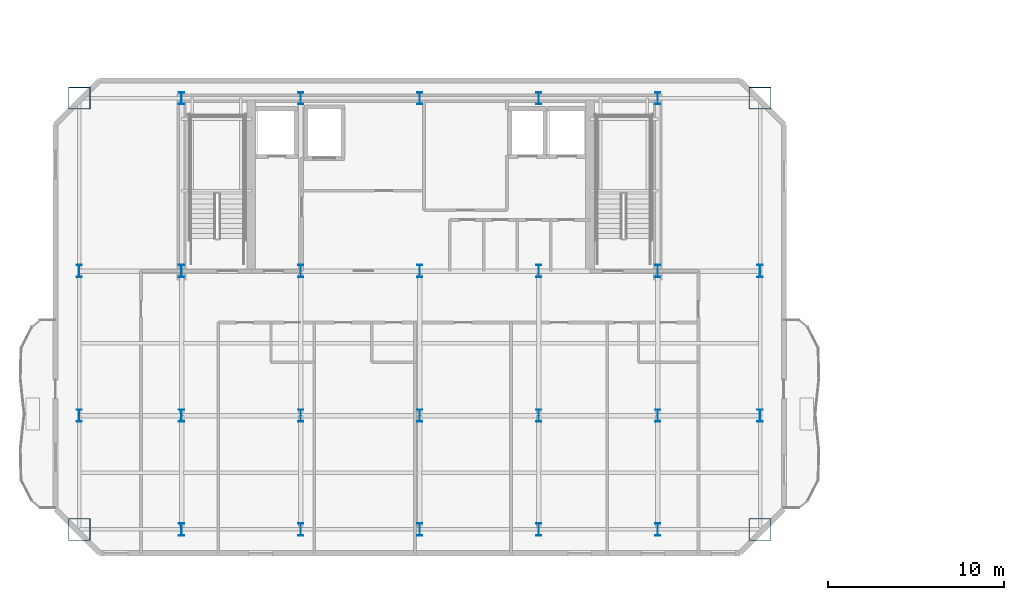
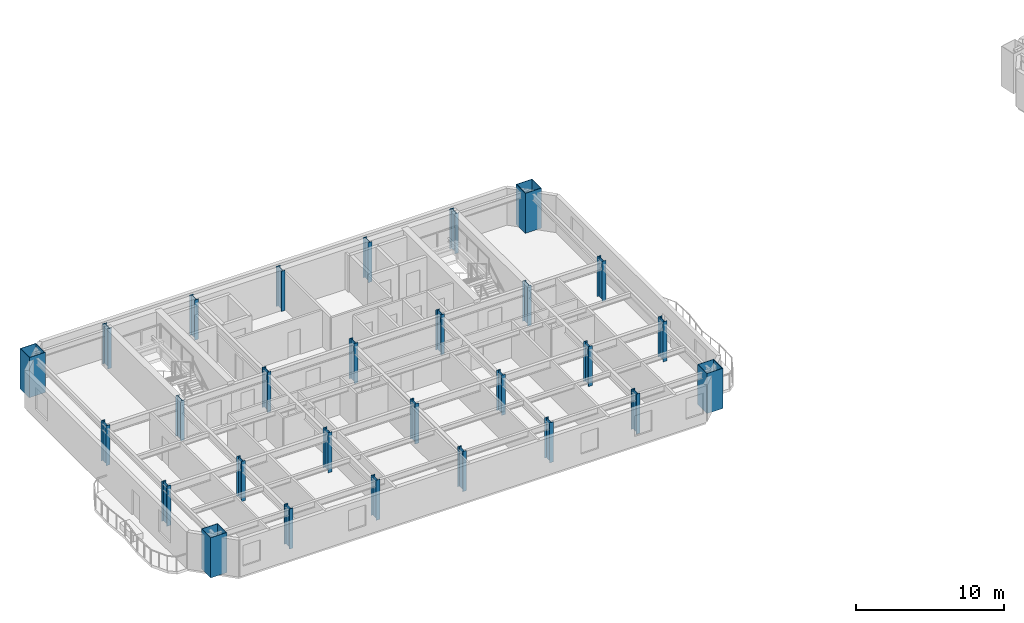
# One storey, part 1 of 13: 28 columns.
"""IFC4 building model written with IfcOpenShell, lengths in metres."""

import ifcopenshell
import ifcopenshell.guid

model = None  # the IFC model being written
_history = None  # IfcOwnerHistory: only IFC2X3 demands one
_inside = {}  # id of a spatial element -> (the spatial element, [elements in it])
_under = {}  # id of a project, library or spatial element -> (it, [spatial elements below it])
_declared = {}  # id of a project -> (the project, [libraries it declares])
_typed = {}  # id of a type object -> (the type object, [elements of that type])
_made_of = {}  # id of a material, layer set ... -> (it, [elements and type objects made of it])


def new_model(schema):
    """Start an empty IFC model of exactly this schema.

    Asked for "IFC4X3", IfcOpenShell would pick the latest addendum, in which some entities
    have other attributes; the version numbers below select the first issue.
    IFC2X3 requires an IfcOwnerHistory on every rooted entity: one is made here for all.
    """
    global model, _history
    if schema == "IFC4X3":
        model = ifcopenshell.file(schema_version=(4, 3, 0, 0))
    else:
        model = ifcopenshell.file(schema=schema)
    _inside.clear()
    _under.clear()
    _declared.clear()
    _typed.clear()
    _made_of.clear()
    _history = None
    if model.schema == "IFC2X3":
        org = make("IfcOrganization", Name="unknown")
        user = make(
            "IfcPersonAndOrganization",
            ThePerson=make("IfcPerson", FamilyName="unknown"),
            TheOrganization=org,
        )
        app = make(
            "IfcApplication",
            ApplicationDeveloper=org,
            Version="unknown",
            ApplicationFullName="unknown",
            ApplicationIdentifier="unknown",
        )
        _history = make(
            "IfcOwnerHistory",
            OwningUser=user,
            OwningApplication=app,
            ChangeAction="ADDED",
            CreationDate=0,
        )
    return model


def make(cls, **values):
    """One entity of the class cls with the attributes given. An attribute that is None is left unset."""
    return model.create_entity(
        cls, **{name: value for name, value in values.items() if value is not None}
    )


def rooted(cls, **values):
    """An entity with a GlobalId (a new one), such as an element, a storey or a relation."""
    return make(cls, GlobalId=ifcopenshell.guid.new(), OwnerHistory=_history, **values)


def si_unit(unit_type, name, prefix=None):
    """IfcSIUnit, for example si_unit("LENGTHUNIT", "METRE", prefix="MILLI")."""
    return make("IfcSIUnit", UnitType=unit_type, Prefix=prefix, Name=name)


def assignment(units):
    """IfcUnitAssignment: the units of a project."""
    return None if units is None else make("IfcUnitAssignment", Units=units)


def point(xyz):
    """IfcCartesianPoint."""
    return None if xyz is None else make("IfcCartesianPoint", Coordinates=xyz)


def direction(xyz):
    """IfcDirection."""
    return None if xyz is None else make("IfcDirection", DirectionRatios=xyz)


def frame(location, z_axis=None, x_axis=None):
    """IfcAxis2Placement3D, a coordinate frame: its origin and axes. An axis left out is left unset."""
    return make(
        "IfcAxis2Placement3D",
        Location=point(location),
        Axis=direction(z_axis),
        RefDirection=direction(x_axis),
    )


def frame_2d(location, x_axis=None):
    """IfcAxis2Placement2D, a coordinate frame in the plane: its origin and x axis."""
    return make(
        "IfcAxis2Placement2D", Location=point(location), RefDirection=direction(x_axis)
    )


def origin():
    """The frame at (0, 0, 0) with its axes left unset."""
    return frame((0.0, 0.0, 0.0))


def origin_2d():
    """The frame at (0, 0) in the plane with its x axis left unset."""
    return frame_2d((0.0, 0.0))


def place(relative_to, where):
    """IfcLocalPlacement: puts the frame where relative to a parent placement (None: the world)."""
    return make(
        "IfcLocalPlacement", PlacementRelTo=relative_to, RelativePlacement=where
    )


def context(
    kind, dimensions, precision=None, world=None, true_north=None, identifier=None
):
    """IfcGeometricRepresentationContext, for example the 3D "Model" context."""
    return make(
        "IfcGeometricRepresentationContext",
        ContextIdentifier=identifier,
        ContextType=kind,
        CoordinateSpaceDimension=dimensions,
        Precision=precision,
        WorldCoordinateSystem=world,
        TrueNorth=true_north,
    )


def subcontext(parent, identifier, kind, view, scale=None):
    """IfcGeometricRepresentationSubContext, for example "Body" below "Model"."""
    return make(
        "IfcGeometricRepresentationSubContext",
        ContextIdentifier=identifier,
        ContextType=kind,
        ParentContext=parent,
        TargetScale=scale,
        TargetView=view,
    )


def project(units=None, contexts=None):
    """IfcProject with its units and contexts."""
    return rooted(
        "IfcProject",
        Name="project",
        RepresentationContexts=contexts,
        UnitsInContext=assignment(units),
    )


def spatial(cls, under=None, at=None, **own):
    """A site, building, storey or space (cls), placed at a placement, below another one or the project."""
    s = rooted(cls, ObjectPlacement=at, **own)
    if under is not None:
        _under.setdefault(under.id(), (under, []))[1].append(s)
    return s


def profile(cls, at=None, kind="AREA", **sizes):
    """A parametric profile (cls). Its sizes go by their IFC names, for example OverallWidth=200.0."""
    return make(cls, ProfileType=kind, Position=at, **sizes)


def hollow_rectangle(**sizes):
    """IfcRectangleHollowProfileDef."""
    return profile("IfcRectangleHollowProfileDef", **sizes)


def i_section(**sizes):
    """IfcIShapeProfileDef."""
    return profile("IfcIShapeProfileDef", **sizes)


def extrude(swept, where, along, depth):
    """IfcExtrudedAreaSolid: the profile swept, set in the frame where, extruded along a direction by depth."""
    return make(
        "IfcExtrudedAreaSolid",
        SweptArea=swept,
        Position=where,
        ExtrudedDirection=direction(along),
        Depth=depth,
    )


def shape(context_of_items, identifier, shape_type, items):
    """IfcShapeRepresentation: the items that make up one representation, for example the "Body"."""
    return make(
        "IfcShapeRepresentation",
        ContextOfItems=context_of_items,
        RepresentationIdentifier=identifier,
        RepresentationType=shape_type,
        Items=items,
    )


def material(Name=None, Category=None):
    """IfcMaterial."""
    return make("IfcMaterial", Name=Name, Category=Category)


def material_profile(
    of_material, cross_section, Name=None, Category=None, Priority=None
):
    """IfcMaterialProfile: a cross section and its material."""
    return make(
        "IfcMaterialProfile",
        Name=Name,
        Material=of_material,
        Profile=cross_section,
        Priority=Priority,
        Category=Category,
    )


def profile_set(profiles, Name=None, composite=None):
    """IfcMaterialProfileSet."""
    return make(
        "IfcMaterialProfileSet",
        Name=Name,
        MaterialProfiles=profiles,
        CompositeProfile=composite,
    )


def made_of(thing, what):
    """Note that an element or type object is made of a material, layer set ...; save() writes the relation."""
    if what is not None:
        _made_of.setdefault(what.id(), (what, []))[1].append(thing)
    return thing


def type_object(cls, material=None, **own):
    """A type object (cls), such as IfcWallType, which elements share."""
    return made_of(rooted(cls, **own), material)


def element(
    cls,
    number,
    at=None,
    inside=None,
    cuts=None,
    type_object=None,
    material=None,
    context=None,
    identifier="Body",
    shape_type=None,
    held_by="IfcProductDefinitionShape",
    body=None,
    shapes=None,
    **own,
):
    """One element of the class cls, such as IfcWall. Its Tag is "e" and its number.

    at: its placement. inside: the storey or other place that contains it. cuts: it is an
    opening in that element (IfcRelVoidsElement). A single representation is given by context,
    identifier, shape_type and body (its items); several are given by shapes. held_by: the class
    of the entity that holds the representations. save() writes the other relations.
    """
    e = rooted(cls, Tag="e%d" % number, ObjectPlacement=at, **own)
    if body is not None:
        shapes = [shape(context, identifier, shape_type, body)]
    if shapes is not None:
        e.Representation = make(held_by, Representations=shapes)
    if inside is not None:
        _inside.setdefault(inside.id(), (inside, []))[1].append(e)
    if cuts is not None:
        rooted(
            "IfcRelVoidsElement", RelatingBuildingElement=cuts, RelatedOpeningElement=e
        )
    if type_object is not None:
        _typed.setdefault(type_object.id(), (type_object, []))[1].append(e)
    return made_of(e, material)


def aggregate(whole, parts):
    """IfcRelAggregates: a whole, such as a stair, and the parts it consists of."""
    return rooted("IfcRelAggregates", RelatingObject=whole, RelatedObjects=parts)


def save(model, path):
    """Write the relations noted so far, then the file.

    IfcRelAggregates (storeys below a building ...), IfcRelContainedInSpatialStructure (elements
    in a storey), IfcRelDefinesByType, IfcRelAssociatesMaterial and IfcRelDeclares: one each for
    every whole, place, type object, material and project.
    """
    for whole, parts in _under.values():
        aggregate(whole, parts)
    for where, things in _inside.values():
        rooted(
            "IfcRelContainedInSpatialStructure",
            RelatedElements=things,
            RelatingStructure=where,
        )
    for kind, things in _typed.values():
        rooted("IfcRelDefinesByType", RelatedObjects=things, RelatingType=kind)
    for what, things in _made_of.values():
        rooted("IfcRelAssociatesMaterial", RelatedObjects=things, RelatingMaterial=what)
    for by, libraries in _declared.values():
        rooted("IfcRelDeclares", RelatingContext=by, RelatedDefinitions=libraries)
    model.write(path)


model = new_model("IFC4")

# Units and contexts
model_context = context("Model", 3, precision=1e-05, world=origin(), true_north=direction((0.0, 1.0)))
body_context = subcontext(model_context, "Body", "Model", "MODEL_VIEW")
ifc_project = project(units=[si_unit("LENGTHUNIT", "METRE"), si_unit("AREAUNIT", "SQUARE_METRE"), si_unit("VOLUMEUNIT", "CUBIC_METRE"), si_unit("PLANEANGLEUNIT", "RADIAN"), si_unit("MASSUNIT", "GRAM", prefix="KILO")], contexts=[model_context])

# Site, building, storey
site_placement = place(None, origin())
site = spatial("IfcSite", under=ifc_project, at=site_placement, CompositionType="ELEMENT")
building_placement = place(site_placement, origin())
building = spatial("IfcBuilding", under=site, at=building_placement, Name="Haevon Station Towers", CompositionType="ELEMENT")
storey_placement = place(building_placement, frame((0.0, 0.0, 182.39990234375)))
storey = spatial("IfcBuildingStorey", under=building, at=storey_placement, Name="L50", CompositionType="ELEMENT", Elevation=182.39990234375)

# Columns
ifc_material_1 = material(Name="Steel S460", Category="steel")
ifc_material_profile_1 = material_profile(ifc_material_1, hollow_rectangle(XDim=1.25, YDim=1.25, WallThickness=0.034912109375, at=origin_2d()), Name="BOX-1250x1250x35")
ifc_profile_set_1 = profile_set([ifc_material_profile_1], Name="Steel S460")
column_type_1 = type_object("IfcColumnType", Name="COL-MC4", PredefinedType="COLUMN", material=ifc_profile_set_1)
for number, where, z_axis, x_axis, name in (
    (1, (18.199951171875, 23.550048828125, 0.0), (0.0, 0.0, 1.0), (1.0, 0.0, 0.0), "COL-T1-L50-01-01"),
    (2, (18.199951171875, 48.0, 0.0), (0.0, 0.0, 1.0), (1.0, 0.0, 0.0), "COL-T1-L50-01-04"),
    (3, (56.800048828125, 23.550048828125, 0.0), (0.0, 0.0, 1.0), (1.0, 0.0, 0.0), "COL-T1-L50-07-01"),
    (4, (56.800048828125, 48.0, 0.0), (0.0, 0.0, 1.0), (1.0, 0.0, 0.0), "COL-T1-L50-07-04"),
):
    element("IfcColumn", number, at=place(storey_placement, frame(where, z_axis=z_axis, x_axis=x_axis)), inside=storey, type_object=column_type_1, Name=name, PredefinedType="COLUMN", context=body_context, shape_type="SweptSolid", body=[
        extrude(hollow_rectangle(XDim=1.25, YDim=1.25, WallThickness=0.034912109375, at=origin_2d()), origin(), (0.0, 0.0, 1.0), 3.300048828125),
    ])
ifc_material_2 = material(Name="Steel S355", Category="steel")
ifc_material_profile_2 = material_profile(ifc_material_2, i_section(OverallWidth=0.300048828125, OverallDepth=0.699951171875, WebThickness=0.01611328125, FlangeThickness=0.028076171875, at=origin_2d()), Name="H-700x300x16x28")
ifc_profile_set_2 = profile_set([ifc_material_profile_2], Name="Steel S355")
column_type_2 = type_object("IfcColumnType", Name="COL-TW3", PredefinedType="COLUMN", material=ifc_profile_set_2)
for number, where, z_axis, x_axis, name in (
    (5, (18.199951171875, 30.0, 0.0), (0.0, 0.0, 1.0), (1.0, 0.0, 0.0), "COL-T1-L50-01-02"),
    (6, (18.199951171875, 38.199951171875, 0.0), (0.0, 0.0, 1.0), (1.0, 0.0, 0.0), "COL-T1-L50-01-03"),
    (7, (24.0, 23.550048828125, 0.0), (0.0, 0.0, 1.0), (1.0, 0.0, 0.0), "COL-T1-L50-02-01"),
    (8, (24.0, 30.0, 0.0), (0.0, 0.0, 1.0), (1.0, 0.0, 0.0), "COL-T1-L50-02-02"),
    (9, (24.0, 38.199951171875, 0.0), (0.0, 0.0, 1.0), (1.0, 0.0, 0.0), "COL-T1-L50-02-03"),
    (10, (24.0, 48.0, 0.0), (0.0, 0.0, 1.0), (1.0, 0.0, 0.0), "COL-T1-L50-02-04"),
    (11, (30.75, 23.550048828125, 0.0), (0.0, 0.0, 1.0), (1.0, 0.0, 0.0), "COL-T1-L50-03-01"),
    (12, (30.75, 30.0, 0.0), (0.0, 0.0, 1.0), (1.0, 0.0, 0.0), "COL-T1-L50-03-02"),
    (13, (30.75, 38.199951171875, 0.0), (0.0, 0.0, 1.0), (1.0, 0.0, 0.0), "COL-T1-L50-03-03"),
    (14, (30.75, 48.0, 0.0), (0.0, 0.0, 1.0), (1.0, 0.0, 0.0), "COL-T1-L50-03-04"),
    (15, (37.5, 23.550048828125, 0.0), (0.0, 0.0, 1.0), (1.0, 0.0, 0.0), "COL-T1-L50-04-01"),
    (16, (37.5, 30.0, 0.0), (0.0, 0.0, 1.0), (1.0, 0.0, 0.0), "COL-T1-L50-04-02"),
    (17, (37.5, 38.199951171875, 0.0), (0.0, 0.0, 1.0), (1.0, 0.0, 0.0), "COL-T1-L50-04-03"),
    (18, (37.5, 48.0, 0.0), (0.0, 0.0, 1.0), (1.0, 0.0, 0.0), "COL-T1-L50-04-04"),
    (19, (44.25, 23.550048828125, 0.0), (0.0, 0.0, 1.0), (1.0, 0.0, 0.0), "COL-T1-L50-05-01"),
    (20, (44.25, 30.0, 0.0), (0.0, 0.0, 1.0), (1.0, 0.0, 0.0), "COL-T1-L50-05-02"),
    (21, (44.25, 38.199951171875, 0.0), (0.0, 0.0, 1.0), (1.0, 0.0, 0.0), "COL-T1-L50-05-03"),
    (22, (44.25, 48.0, 0.0), (0.0, 0.0, 1.0), (1.0, 0.0, 0.0), "COL-T1-L50-05-04"),
    (23, (51.0, 23.550048828125, 0.0), (0.0, 0.0, 1.0), (1.0, 0.0, 0.0), "COL-T1-L50-06-01"),
    (24, (51.0, 30.0, 0.0), (0.0, 0.0, 1.0), (1.0, 0.0, 0.0), "COL-T1-L50-06-02"),
    (25, (51.0, 38.199951171875, 0.0), (0.0, 0.0, 1.0), (1.0, 0.0, 0.0), "COL-T1-L50-06-03"),
    (26, (51.0, 48.0, 0.0), (0.0, 0.0, 1.0), (1.0, 0.0, 0.0), "COL-T1-L50-06-04"),
    (27, (56.800048828125, 30.0, 0.0), (0.0, 0.0, 1.0), (1.0, 0.0, 0.0), "COL-T1-L50-07-02"),
    (28, (56.800048828125, 38.199951171875, 0.0), (0.0, 0.0, 1.0), (1.0, 0.0, 0.0), "COL-T1-L50-07-03"),
):
    element("IfcColumn", number, at=place(storey_placement, frame(where, z_axis=z_axis, x_axis=x_axis)), inside=storey, type_object=column_type_2, Name=name, PredefinedType="COLUMN", context=body_context, shape_type="SweptSolid", body=[
        extrude(i_section(OverallWidth=0.300048828125, OverallDepth=0.699951171875, WebThickness=0.01611328125, FlangeThickness=0.028076171875, at=origin_2d()), origin(), (0.0, 0.0, 1.0), 3.300048828125),
    ])

save(model, "model.ifc")
